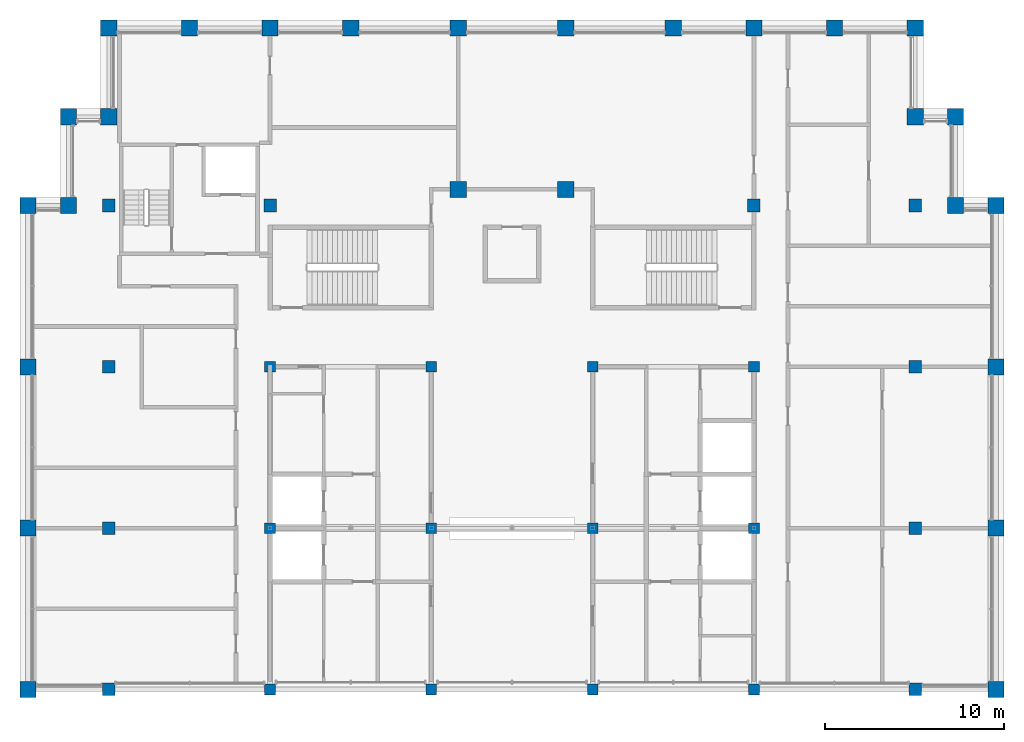
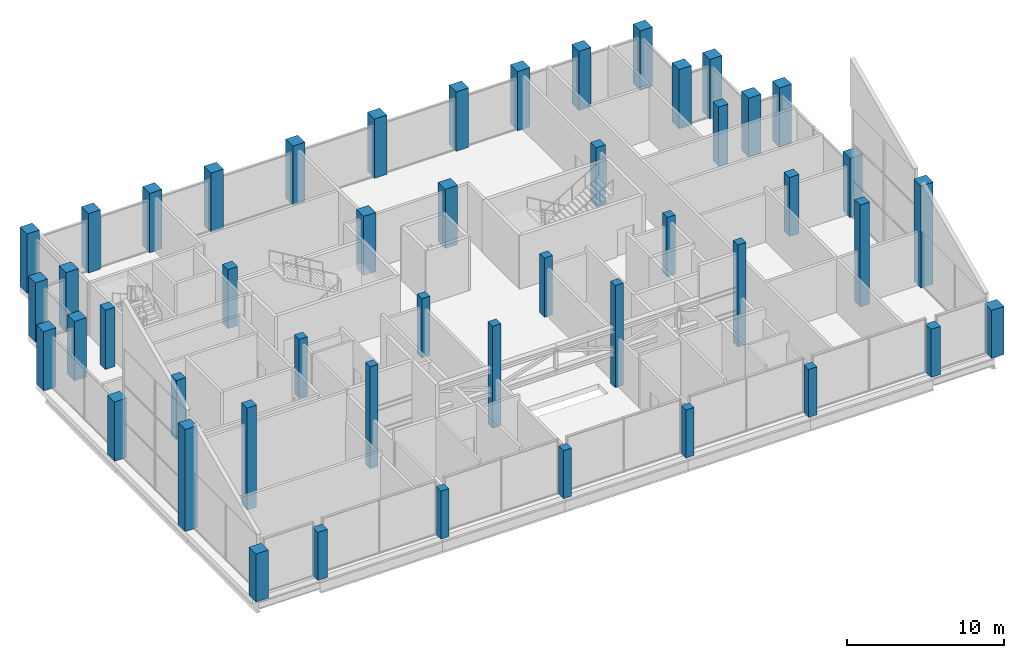
# One storey, part 1 of 14: 48 columns.
"""IFC4 building model written with IfcOpenShell, lengths in metres."""

from ifc_helpers import new_model, si_unit, direction, frame, origin, origin_2d, place, context, subcontext, project, spatial, rectangle, extrude, material, material_profile, profile_set, type_object, element, save


model = new_model("IFC4")

# Units and contexts
model_context = context("Model", 3, precision=1e-05, world=origin(), true_north=direction((0.0, 1.0)))
body_context = subcontext(model_context, "Body", "Model", "MODEL_VIEW")
ifc_project = project(units=[si_unit("LENGTHUNIT", "METRE"), si_unit("AREAUNIT", "SQUARE_METRE"), si_unit("VOLUMEUNIT", "CUBIC_METRE"), si_unit("PLANEANGLEUNIT", "RADIAN"), si_unit("MASSUNIT", "GRAM", prefix="KILO")], contexts=[model_context])

# Site, building, storey
site_placement = place(None, origin())
site = spatial("IfcSite", under=ifc_project, at=site_placement, CompositionType="ELEMENT")
building_placement = place(site_placement, origin())
building = spatial("IfcBuilding", under=site, at=building_placement, Name="Corbelhall Arena Tower", CompositionType="ELEMENT")
storey_placement = place(building_placement, frame((0.0, 0.0, 376.0)))
storey = spatial("IfcBuildingStorey", under=building, at=storey_placement, Name="L81", CompositionType="ELEMENT", Elevation=376.0)

# Columns
ifc_material = material(Name="Concrete C80/95", Category="concrete")
ifc_material_profile_1 = material_profile(ifc_material, rectangle(XDim=0.60009765625, YDim=0.60009765625, at=origin_2d()))
ifc_profile_set_1 = profile_set([ifc_material_profile_1], Name="Concrete C80/95")
column_type_1 = type_object("IfcColumnType", Name="ST-COL-RC 600x600", PredefinedType="COLUMN", material=ifc_profile_set_1)
column_1_placement = place(storey_placement, frame((4.5, 0.0, 0.0), z_axis=(0.0, 0.0, 1.0), x_axis=(1.0, 0.0, 0.0)))
element("IfcColumn", 1, at=column_1_placement, inside=storey, type_object=column_type_1, Name="Column KE+0450+0000", PredefinedType="COLUMN", context=body_context, shape_type="SweptSolid", body=[
    extrude(rectangle(XDim=0.60009765625, YDim=0.60009765625, at=origin_2d()), origin(), (0.0, 0.0, 1.0), 7.9189453125),
])
column_2_placement = place(storey_placement, frame((4.5, 9.0, 0.0), z_axis=(0.0, 0.0, 1.0), x_axis=(1.0, 0.0, 0.0)))
element("IfcColumn", 2, at=column_2_placement, inside=storey, type_object=column_type_1, Name="Column KE+0450+0900", PredefinedType="COLUMN", context=body_context, shape_type="SweptSolid", body=[
    extrude(rectangle(XDim=0.60009765625, YDim=0.60009765625, at=origin_2d()), origin(), (0.0, 0.0, 1.0), 4.599609375),
])
column_3_placement = place(storey_placement, frame((4.5, -9.0, 0.0), z_axis=(0.0, 0.0, 1.0), x_axis=(1.0, 0.0, 0.0)))
element("IfcColumn", 3, at=column_3_placement, inside=storey, type_object=column_type_1, Name="Column KE+0450-0900", PredefinedType="COLUMN", context=body_context, shape_type="SweptSolid", body=[
    extrude(rectangle(XDim=0.60009765625, YDim=0.60009765625, at=origin_2d()), origin(), (0.0, 0.0, 1.0), 3.725341796875),
])
column_4_placement = place(storey_placement, frame((13.5, 0.0, 0.0), z_axis=(0.0, 0.0, 1.0), x_axis=(1.0, 0.0, 0.0)))
element("IfcColumn", 4, at=column_4_placement, inside=storey, type_object=column_type_1, Name="Column KE+1350+0000", PredefinedType="COLUMN", context=body_context, shape_type="SweptSolid", body=[
    extrude(rectangle(XDim=0.60009765625, YDim=0.60009765625, at=origin_2d()), origin(), (0.0, 0.0, 1.0), 7.9189453125),
])
column_5_placement = place(storey_placement, frame((13.5, 9.0, 0.0), z_axis=(0.0, 0.0, 1.0), x_axis=(1.0, 0.0, 0.0)))
element("IfcColumn", 5, at=column_5_placement, inside=storey, type_object=column_type_1, Name="Column KE+1350+0900", PredefinedType="COLUMN", context=body_context, shape_type="SweptSolid", body=[
    extrude(rectangle(XDim=0.60009765625, YDim=0.60009765625, at=origin_2d()), origin(), (0.0, 0.0, 1.0), 4.599609375),
])
column_6_placement = place(storey_placement, frame((13.5, -9.0, 0.0), z_axis=(0.0, 0.0, 1.0), x_axis=(1.0, 0.0, 0.0)))
element("IfcColumn", 6, at=column_6_placement, inside=storey, type_object=column_type_1, Name="Column KE+1350-0900", PredefinedType="COLUMN", context=body_context, shape_type="SweptSolid", body=[
    extrude(rectangle(XDim=0.60009765625, YDim=0.60009765625, at=origin_2d()), origin(), (0.0, 0.0, 1.0), 3.725341796875),
])
column_7_placement = place(storey_placement, frame((-4.5, 0.0, 0.0), z_axis=(0.0, 0.0, 1.0), x_axis=(1.0, 0.0, 0.0)))
element("IfcColumn", 7, at=column_7_placement, inside=storey, type_object=column_type_1, Name="Column KW-0450+0000", PredefinedType="COLUMN", context=body_context, shape_type="SweptSolid", body=[
    extrude(rectangle(XDim=0.60009765625, YDim=0.60009765625, at=origin_2d()), origin(), (0.0, 0.0, 1.0), 7.9189453125),
])
column_8_placement = place(storey_placement, frame((-4.5, 9.0, 0.0), z_axis=(0.0, 0.0, 1.0), x_axis=(1.0, 0.0, 0.0)))
element("IfcColumn", 8, at=column_8_placement, inside=storey, type_object=column_type_1, Name="Column KW-0450+0900", PredefinedType="COLUMN", context=body_context, shape_type="SweptSolid", body=[
    extrude(rectangle(XDim=0.60009765625, YDim=0.60009765625, at=origin_2d()), origin(), (0.0, 0.0, 1.0), 4.599609375),
])
column_9_placement = place(storey_placement, frame((-4.5, -9.0, 0.0), z_axis=(0.0, 0.0, 1.0), x_axis=(1.0, 0.0, 0.0)))
element("IfcColumn", 9, at=column_9_placement, inside=storey, type_object=column_type_1, Name="Column KW-0450-0900", PredefinedType="COLUMN", context=body_context, shape_type="SweptSolid", body=[
    extrude(rectangle(XDim=0.60009765625, YDim=0.60009765625, at=origin_2d()), origin(), (0.0, 0.0, 1.0), 3.725341796875),
])
column_10_placement = place(storey_placement, frame((-13.5, 0.0, 0.0), z_axis=(0.0, 0.0, 1.0), x_axis=(1.0, 0.0, 0.0)))
element("IfcColumn", 10, at=column_10_placement, inside=storey, type_object=column_type_1, Name="Column KW-1350+0000", PredefinedType="COLUMN", context=body_context, shape_type="SweptSolid", body=[
    extrude(rectangle(XDim=0.60009765625, YDim=0.60009765625, at=origin_2d()), origin(), (0.0, 0.0, 1.0), 7.9189453125),
])
column_11_placement = place(storey_placement, frame((-13.5, 9.0, 0.0), z_axis=(0.0, 0.0, 1.0), x_axis=(1.0, 0.0, 0.0)))
element("IfcColumn", 11, at=column_11_placement, inside=storey, type_object=column_type_1, Name="Column KW-1350+0900", PredefinedType="COLUMN", context=body_context, shape_type="SweptSolid", body=[
    extrude(rectangle(XDim=0.60009765625, YDim=0.60009765625, at=origin_2d()), origin(), (0.0, 0.0, 1.0), 4.599609375),
])
column_12_placement = place(storey_placement, frame((-13.5, -9.0, 0.0), z_axis=(0.0, 0.0, 1.0), x_axis=(1.0, 0.0, 0.0)))
element("IfcColumn", 12, at=column_12_placement, inside=storey, type_object=column_type_1, Name="Column KW-1350-0900", PredefinedType="COLUMN", context=body_context, shape_type="SweptSolid", body=[
    extrude(rectangle(XDim=0.60009765625, YDim=0.60009765625, at=origin_2d()), origin(), (0.0, 0.0, 1.0), 3.725341796875),
])
ifc_material_profile_2 = material_profile(ifc_material, rectangle(XDim=0.699951171875, YDim=0.699951171875, at=origin_2d()))
ifc_profile_set_2 = profile_set([ifc_material_profile_2], Name="Concrete C80/95")
column_type_2 = type_object("IfcColumnType", Name="ST-COL-RC 700x700", PredefinedType="COLUMN", material=ifc_profile_set_2)
column_13_placement = place(storey_placement, frame((13.5, 18.0, 0.0), z_axis=(0.0, 0.0, 1.0), x_axis=(1.0, 0.0, 0.0)))
element("IfcColumn", 13, at=column_13_placement, inside=storey, type_object=column_type_2, Name="Column IE13+1800", PredefinedType="COLUMN", context=body_context, shape_type="SweptSolid", body=[
    extrude(rectangle(XDim=0.699951171875, YDim=0.699951171875, at=origin_2d()), origin(), (0.0, 0.0, 1.0), 4.599609375),
])
column_14_placement = place(storey_placement, frame((22.5, 0.0, 0.0), z_axis=(0.0, 0.0, 1.0), x_axis=(1.0, 0.0, 0.0)))
element("IfcColumn", 14, at=column_14_placement, inside=storey, type_object=column_type_2, Name="Column IE22+0000", PredefinedType="COLUMN", context=body_context, shape_type="SweptSolid", body=[
    extrude(rectangle(XDim=0.699951171875, YDim=0.699951171875, at=origin_2d()), origin(), (0.0, 0.0, 1.0), 7.9189453125),
])
for number, where, z_axis, x_axis, name in (
    (15, (22.5, 9.0, 0.0), (0.0, 0.0, 1.0), (1.0, 0.0, 0.0), "Column IE22+0900"),
    (16, (22.5, 18.0, 0.0), (0.0, 0.0, 1.0), (1.0, 0.0, 0.0), "Column IE22+1800"),
):
    element("IfcColumn", number, at=place(storey_placement, frame(where, z_axis=z_axis, x_axis=x_axis)), inside=storey, type_object=column_type_2, Name=name, PredefinedType="COLUMN", context=body_context, shape_type="SweptSolid", body=[
        extrude(rectangle(XDim=0.699951171875, YDim=0.699951171875, at=origin_2d()), origin(), (0.0, 0.0, 1.0), 4.599609375),
    ])
column_15_placement = place(storey_placement, frame((22.5, -9.0, 0.0), z_axis=(0.0, 0.0, 1.0), x_axis=(1.0, 0.0, 0.0)))
element("IfcColumn", 17, at=column_15_placement, inside=storey, type_object=column_type_2, Name="Column IE22-0900", PredefinedType="COLUMN", context=body_context, shape_type="SweptSolid", body=[
    extrude(rectangle(XDim=0.699951171875, YDim=0.699951171875, at=origin_2d()), origin(), (0.0, 0.0, 1.0), 3.725341796875),
])
column_16_placement = place(storey_placement, frame((-13.5, 18.0, 0.0), z_axis=(0.0, 0.0, 1.0), x_axis=(1.0, 0.0, 0.0)))
element("IfcColumn", 18, at=column_16_placement, inside=storey, type_object=column_type_2, Name="Column IW13+1800", PredefinedType="COLUMN", context=body_context, shape_type="SweptSolid", body=[
    extrude(rectangle(XDim=0.699951171875, YDim=0.699951171875, at=origin_2d()), origin(), (0.0, 0.0, 1.0), 4.599609375),
])
column_17_placement = place(storey_placement, frame((-22.5, 0.0, 0.0), z_axis=(0.0, 0.0, 1.0), x_axis=(1.0, 0.0, 0.0)))
element("IfcColumn", 19, at=column_17_placement, inside=storey, type_object=column_type_2, Name="Column IW22+0000", PredefinedType="COLUMN", context=body_context, shape_type="SweptSolid", body=[
    extrude(rectangle(XDim=0.699951171875, YDim=0.699951171875, at=origin_2d()), origin(), (0.0, 0.0, 1.0), 7.9189453125),
])
for number, where, z_axis, x_axis, name in (
    (20, (-22.5, 9.0, 0.0), (0.0, 0.0, 1.0), (1.0, 0.0, 0.0), "Column IW22+0900"),
    (21, (-22.5, 18.0, 0.0), (0.0, 0.0, 1.0), (1.0, 0.0, 0.0), "Column IW22+1800"),
):
    element("IfcColumn", number, at=place(storey_placement, frame(where, z_axis=z_axis, x_axis=x_axis)), inside=storey, type_object=column_type_2, Name=name, PredefinedType="COLUMN", context=body_context, shape_type="SweptSolid", body=[
        extrude(rectangle(XDim=0.699951171875, YDim=0.699951171875, at=origin_2d()), origin(), (0.0, 0.0, 1.0), 4.599609375),
    ])
column_18_placement = place(storey_placement, frame((-22.5, -9.0, 0.0), z_axis=(0.0, 0.0, 1.0), x_axis=(1.0, 0.0, 0.0)))
element("IfcColumn", 22, at=column_18_placement, inside=storey, type_object=column_type_2, Name="Column IW22-0900", PredefinedType="COLUMN", context=body_context, shape_type="SweptSolid", body=[
    extrude(rectangle(XDim=0.699951171875, YDim=0.699951171875, at=origin_2d()), origin(), (0.0, 0.0, 1.0), 3.725341796875),
])
ifc_material_profile_3 = material_profile(ifc_material, rectangle(XDim=0.89990234375, YDim=0.89990234375, at=origin_2d()))
ifc_profile_set_3 = profile_set([ifc_material_profile_3], Name="Concrete C80/95")
column_type_3 = type_object("IfcColumnType", Name="ST-COL-RC 900x900", PredefinedType="COLUMN", material=ifc_profile_set_3)
column_19_placement = place(storey_placement, frame((27.0, 0.0, 0.0), z_axis=(0.0, 0.0, 1.0), x_axis=(0.0, 1.0, 0.0)))
element("IfcColumn", 23, at=column_19_placement, inside=storey, type_object=column_type_3, Name="Column PE+0000", PredefinedType="COLUMN", context=body_context, shape_type="SweptSolid", body=[
    extrude(rectangle(XDim=0.89990234375, YDim=0.89990234375, at=origin_2d()), origin(), (0.0, 0.0, 1.0), 7.9189453125),
])
for number, where, z_axis, x_axis, name in (
    (24, (27.0, 9.0, 0.0), (0.0, 0.0, 1.0), (0.0, 1.0, 0.0), "Column PE+0900"),
    (25, (27.0, 18.0, 0.0), (0.0, 0.0, 1.0), (0.0, 1.0, 0.0), "Column PE+1800"),
):
    element("IfcColumn", number, at=place(storey_placement, frame(where, z_axis=z_axis, x_axis=x_axis)), inside=storey, type_object=column_type_3, Name=name, PredefinedType="COLUMN", context=body_context, shape_type="SweptSolid", body=[
        extrude(rectangle(XDim=0.89990234375, YDim=0.89990234375, at=origin_2d()), origin(), (0.0, 0.0, 1.0), 4.599609375),
    ])
column_20_placement = place(storey_placement, frame((27.0, -9.0, 0.0), z_axis=(0.0, 0.0, 1.0), x_axis=(0.0, 1.0, 0.0)))
element("IfcColumn", 26, at=column_20_placement, inside=storey, type_object=column_type_3, Name="Column PE-0900", PredefinedType="COLUMN", context=body_context, shape_type="SweptSolid", body=[
    extrude(rectangle(XDim=0.89990234375, YDim=0.89990234375, at=origin_2d()), origin(), (0.0, 0.0, 1.0), 3.725341796875),
])
for number, where, z_axis, x_axis, name in (
    (27, (3.0, 27.89990234375, 0.0), (0.0, 0.0, 1.0), (1.0, 0.0, 0.0), "Column PNE0300"),
    (28, (9.0, 27.89990234375, 0.0), (0.0, 0.0, 1.0), (1.0, 0.0, 0.0), "Column PNE0900"),
    (29, (13.5, 27.89990234375, 0.0), (0.0, 0.0, 1.0), (1.0, 0.0, 0.0), "Column PNE1350"),
    (30, (18.0, 27.89990234375, 0.0), (0.0, 0.0, 1.0), (1.0, 0.0, 0.0), "Column PNE1800"),
    (31, (22.5, 27.89990234375, 0.0), (0.0, 0.0, 1.0), (1.0, 0.0, 0.0), "Column PNE2250"),
    (32, (-3.0, 27.89990234375, 0.0), (0.0, 0.0, 1.0), (1.0, 0.0, 0.0), "Column PNW0300"),
    (33, (-9.0, 27.89990234375, 0.0), (0.0, 0.0, 1.0), (1.0, 0.0, 0.0), "Column PNW0900"),
    (34, (-13.5, 27.89990234375, 0.0), (0.0, 0.0, 1.0), (1.0, 0.0, 0.0), "Column PNW1350"),
    (35, (-18.0, 27.89990234375, 0.0), (0.0, 0.0, 1.0), (1.0, 0.0, 0.0), "Column PNW1800"),
    (36, (-22.5, 27.89990234375, 0.0), (0.0, 0.0, 1.0), (1.0, 0.0, 0.0), "Column PNW2250"),
):
    element("IfcColumn", number, at=place(storey_placement, frame(where, z_axis=z_axis, x_axis=x_axis)), inside=storey, type_object=column_type_3, Name=name, PredefinedType="COLUMN", context=body_context, shape_type="SweptSolid", body=[
        extrude(rectangle(XDim=0.89990234375, YDim=0.89990234375, at=origin_2d()), origin(), (0.0, 0.0, 1.0), 4.599609375),
    ])
column_21_placement = place(storey_placement, frame((-27.0, 0.0, 0.0), z_axis=(0.0, 0.0, 1.0), x_axis=(0.0, 1.0, 0.0)))
element("IfcColumn", 37, at=column_21_placement, inside=storey, type_object=column_type_3, Name="Column PW+0000", PredefinedType="COLUMN", context=body_context, shape_type="SweptSolid", body=[
    extrude(rectangle(XDim=0.89990234375, YDim=0.89990234375, at=origin_2d()), origin(), (0.0, 0.0, 1.0), 7.9189453125),
])
for number, where, z_axis, x_axis, name in (
    (38, (-27.0, 9.0, 0.0), (0.0, 0.0, 1.0), (0.0, 1.0, 0.0), "Column PW+0900"),
    (39, (-27.0, 18.0, 0.0), (0.0, 0.0, 1.0), (0.0, 1.0, 0.0), "Column PW+1800"),
):
    element("IfcColumn", number, at=place(storey_placement, frame(where, z_axis=z_axis, x_axis=x_axis)), inside=storey, type_object=column_type_3, Name=name, PredefinedType="COLUMN", context=body_context, shape_type="SweptSolid", body=[
        extrude(rectangle(XDim=0.89990234375, YDim=0.89990234375, at=origin_2d()), origin(), (0.0, 0.0, 1.0), 4.599609375),
    ])
column_22_placement = place(storey_placement, frame((-27.0, -9.0, 0.0), z_axis=(0.0, 0.0, 1.0), x_axis=(0.0, 1.0, 0.0)))
element("IfcColumn", 40, at=column_22_placement, inside=storey, type_object=column_type_3, Name="Column PW-0900", PredefinedType="COLUMN", context=body_context, shape_type="SweptSolid", body=[
    extrude(rectangle(XDim=0.89990234375, YDim=0.89990234375, at=origin_2d()), origin(), (0.0, 0.0, 1.0), 3.725341796875),
])
for number, where, z_axis, x_axis, name in (
    (41, (3.0, 18.89990234375, 0.0), (0.0, 0.0, 1.0), (1.0, 0.0, 0.0), "Column SLNE2"),
    (42, (-3.0, 18.89990234375, 0.0), (0.0, 0.0, 1.0), (1.0, 0.0, 0.0), "Column SLNW2"),
    (43, (22.5, 22.949951171875, 0.0), (0.0, 0.0, 1.0), (1.0, 0.0, 0.0), "Column XNE1"),
    (44, (24.75, 22.949951171875, 0.0), (0.0, 0.0, 1.0), (1.0, 0.0, 0.0), "Column XNE2"),
    (45, (24.75, 18.0, 0.0), (0.0, 0.0, 1.0), (1.0, 0.0, 0.0), "Column XNE3"),
    (46, (-22.5, 22.949951171875, 0.0), (0.0, 0.0, 1.0), (1.0, 0.0, 0.0), "Column XNW1"),
    (47, (-24.75, 22.949951171875, 0.0), (0.0, 0.0, 1.0), (1.0, 0.0, 0.0), "Column XNW2"),
    (48, (-24.75, 18.0, 0.0), (0.0, 0.0, 1.0), (1.0, 0.0, 0.0), "Column XNW3"),
):
    element("IfcColumn", number, at=place(storey_placement, frame(where, z_axis=z_axis, x_axis=x_axis)), inside=storey, type_object=column_type_3, Name=name, PredefinedType="COLUMN", context=body_context, shape_type="SweptSolid", body=[
        extrude(rectangle(XDim=0.89990234375, YDim=0.89990234375, at=origin_2d()), origin(), (0.0, 0.0, 1.0), 4.599609375),
    ])

save(model, "model.ifc")
